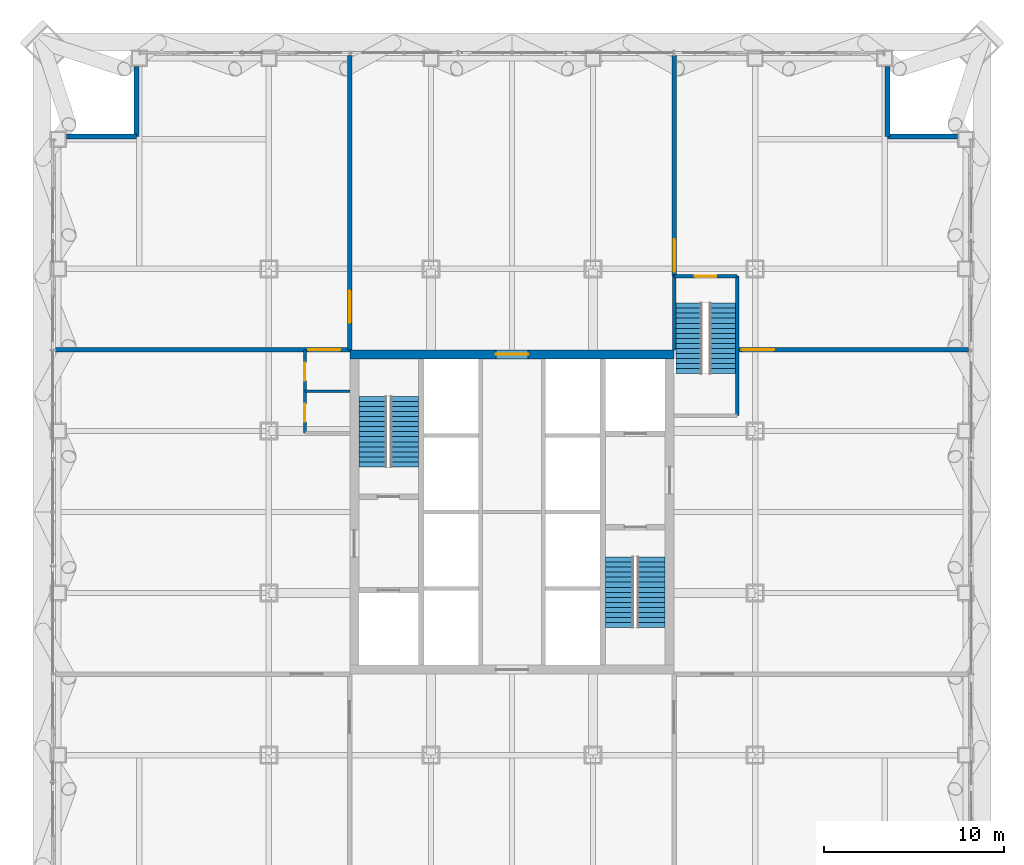
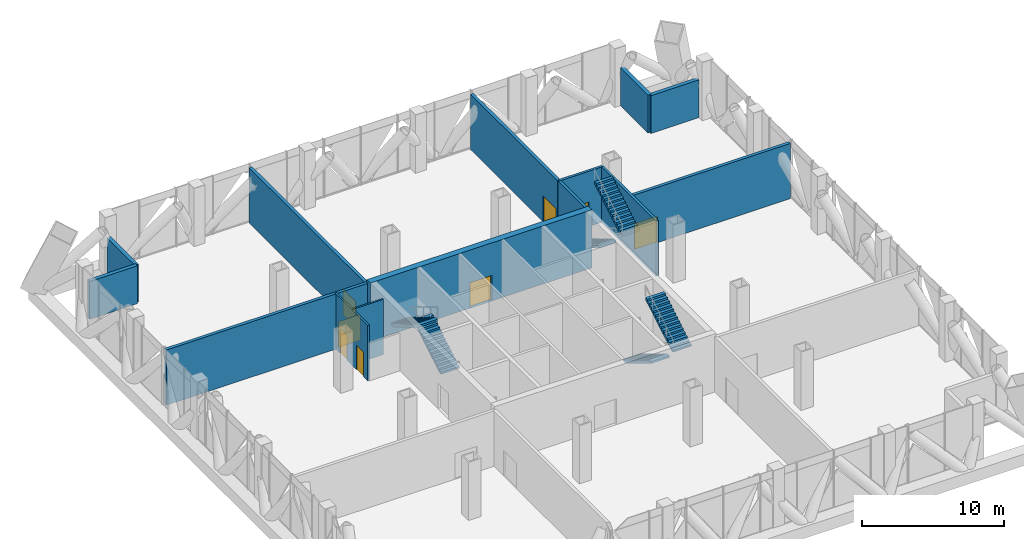
# One storey, part 15 of 26: 14 walls, 8 doors, 6 stair flights, 8 openings, 3 elements without a shape of their own.
"""IFC4 building model written with IfcOpenShell, lengths in metres."""

from ifc_helpers import new_model, si_unit, direction, frame, frame_2d, origin, place, context, subcontext, project, spatial, polyline, rectangle, outline, extrude, material, layer, layer_set, type_object, element, fill, aggregate, save


model = new_model("IFC4")

# Units and contexts
model_context = context("Model", 3, precision=1e-05, world=origin(), true_north=direction((0.0, 1.0)))
body_context = subcontext(model_context, "Body", "Model", "MODEL_VIEW")
ifc_project = project(units=[si_unit("LENGTHUNIT", "METRE"), si_unit("AREAUNIT", "SQUARE_METRE"), si_unit("VOLUMEUNIT", "CUBIC_METRE"), si_unit("PLANEANGLEUNIT", "RADIAN"), si_unit("MASSUNIT", "GRAM", prefix="KILO")], contexts=[model_context])

# Site, building, storey
site_placement = place(None, origin())
site = spatial("IfcSite", under=ifc_project, at=site_placement, CompositionType="ELEMENT")
building_placement = place(site_placement, origin())
building = spatial("IfcBuilding", under=site, at=building_placement, Name="Malebo Sky Hospital", CompositionType="ELEMENT")
storey_placement = place(building_placement, frame((0.0, 0.0, 95.0)))
storey = spatial("IfcBuildingStorey", under=building, at=storey_placement, Name="L22", CompositionType="ELEMENT", Elevation=95.0)

# Wall, opening, door
ifc_material_1 = material(Name="Concrete C80/95", Category="concrete")
ifc_layer_1 = layer(ifc_material_1, 0.5)
ifc_layer_set_1 = layer_set([ifc_layer_1], Name="CORE WALL 500")
wall_type_1 = type_object("IfcWallType", Name="CORE WALL 500", PredefinedType="SHEAR", material=ifc_layer_set_1)
wall_1_placement = place(storey_placement, frame((51.0, 70.75, 0.0), z_axis=(0.0, 0.0, 1.0), x_axis=(1.0, 0.0, 0.0)))
wall_1 = element("IfcWall", 1, at=wall_1_placement, inside=storey, type_object=wall_type_1, Name="Core wall N L22", PredefinedType="SHEAR", context=body_context, shape_type="SweptSolid", body=[
    extrude(rectangle(XDim=18.0, YDim=0.5, at=frame_2d((9.0, 0.0))), origin(), (0.0, 0.0, 1.0), 5.0),
])
opening_1_placement = place(wall_1_placement, frame((8.10009765625, 0.0, 0.0)))
opening_1 = element("IfcOpeningElement", 2, at=opening_1_placement, cuts=wall_1, Name="Opening D06", PredefinedType="OPENING", context=body_context, shape_type="SweptSolid", body=[
    extrude(rectangle(XDim=1.800048828125, YDim=2.199951171875, at=frame_2d((0.89990234375, 1.10009765625))), frame((0.0, 0.260009765625, 0.0), z_axis=(0.0, -1.0, 0.0), x_axis=(1.0, 0.0, 0.0)), (0.0, 0.0, 1.0), 0.52001953125),
])
ifc_material_2 = material(Name="Hardwood-faced door leaf in steel frame", Category="steel")
door_type_1 = type_object("IfcDoorType", Name="LOBBY DOOR PAIR 1800", OperationType="DOUBLE_DOOR_SINGLE_SWING", PredefinedType="DOOR", material=ifc_material_2)
door_1_placement = place(opening_1_placement, origin())
door_1 = element("IfcDoor", 3, at=door_1_placement, inside=storey, type_object=door_type_1, Name="Controls plant room door", OperationType="DOUBLE_DOOR_SINGLE_SWING", OverallHeight=2.199951171875, OverallWidth=1.800048828125, PredefinedType="DOOR", context=body_context, shape_type="SweptSolid", body=[
    extrude(rectangle(XDim=1.800048828125, YDim=2.199951171875, at=frame_2d((0.89990234375, 1.10009765625))), frame((0.0, 0.02490234375, 0.0), z_axis=(0.0, -1.0, 0.0), x_axis=(1.0, 0.0, 0.0)), (0.0, 0.0, 1.0), 0.050048828125),
])
fill(opening_1, door_1)

# Walls
ifc_material_3 = material(Name="Anodised aluminium rainscreen on steel framing", Category="steel")
ifc_layer_2 = layer(ifc_material_3, 0.300048828125)
ifc_layer_set_2 = layer_set([ifc_layer_2], Name="NOTCH RAINSCREEN WALL 300")
wall_type_2 = type_object("IfcWallType", Name="NOTCH RAINSCREEN WALL 300", PredefinedType="ELEMENTEDWALL", material=ifc_layer_set_2)
for number, where, z_axis, x_axis, name in (
    (4, (80.85009765625, 86.75, 0.0), (0.0, 0.0, 1.0), (0.0, -1.0, 0.0), "Notch rainscreen wall N1 L22"),
    (5, (80.85009765625, 82.85009765625, 0.0), (0.0, 0.0, 1.0), (1.0, 0.0, 0.0), "Notch rainscreen wall N2 L22"),
    (6, (35.25, 82.85009765625, 0.0), (0.0, 0.0, 1.0), (1.0, 0.0, 0.0), "Notch rainscreen wall W1 L22"),
    (7, (39.14990234375, 82.85009765625, 0.0), (0.0, 0.0, 1.0), (0.0, 1.0, 0.0), "Notch rainscreen wall W2 L22"),
):
    element("IfcWall", number, at=place(storey_placement, frame(where, z_axis=z_axis, x_axis=x_axis)), inside=storey, type_object=wall_type_2, Name=name, PredefinedType="ELEMENTEDWALL", context=body_context, shape_type="SweptSolid", body=[
        extrude(rectangle(XDim=3.89990234375, YDim=0.300048828125, at=frame_2d((1.949951171875, 0.0))), origin(), (0.0, 0.0, 1.0), 3.25),
    ])

# Wall, openings, doors
ifc_material_4 = material(Name="Gypsum board on steel studs", Category="steel")
ifc_layer_3 = layer(ifc_material_4, 0.14990234375)
ifc_layer_set_3 = layer_set([ifc_layer_3], Name="PARTITION 150")
wall_type_3 = type_object("IfcWallType", Name="PARTITION 150", PredefinedType="PARTITIONING", material=ifc_layer_set_3)
wall_2_placement = place(storey_placement, frame((48.5, 66.39990234375, 0.0), z_axis=(0.0, 0.0, 1.0), x_axis=(0.0, 1.0, 0.0)))
wall_2 = element("IfcWall", 8, at=wall_2_placement, inside=storey, type_object=wall_type_3, Name="Partition 150 WCF", PredefinedType="PARTITIONING", context=body_context, shape_type="SweptSolid", body=[
    extrude(rectangle(XDim=4.60009765625, YDim=0.14990234375, at=frame_2d((2.300048828125, 0.0))), origin(), (0.0, 0.0, 1.0), 4.75),
])
opening_2_placement = place(wall_2_placement, frame((0.60009765625, 0.0, 0.0)))
opening_2 = element("IfcOpeningElement", 9, at=opening_2_placement, cuts=wall_2, Name="Opening D03", PredefinedType="OPENING", context=body_context, shape_type="SweptSolid", body=[
    extrude(rectangle(XDim=1.0, YDim=2.10009765625, at=frame_2d((0.5, 1.050048828125))), frame((0.0, 0.0849609375, 0.0), z_axis=(0.0, -1.0, 0.0), x_axis=(1.0, 0.0, 0.0)), (0.0, 0.0, 1.0), 0.169921875),
])
opening_3_placement = place(wall_2_placement, frame((2.89990234375, 0.0, 0.0)))
opening_3 = element("IfcOpeningElement", 10, at=opening_3_placement, cuts=wall_2, Name="Opening D03", PredefinedType="OPENING", context=body_context, shape_type="SweptSolid", body=[
    extrude(rectangle(XDim=1.0, YDim=2.10009765625, at=frame_2d((0.5, 1.050048828125))), frame((0.0, 0.0849609375, 0.0), z_axis=(0.0, -1.0, 0.0), x_axis=(1.0, 0.0, 0.0)), (0.0, 0.0, 1.0), 0.169921875),
])
door_type_2 = type_object("IfcDoorType", Name="ROOM DOOR 1000", OperationType="SINGLE_SWING_LEFT", PredefinedType="DOOR", material=ifc_material_2)
door_2_placement = place(opening_2_placement, origin())
door_2 = element("IfcDoor", 11, at=door_2_placement, inside=storey, type_object=door_type_2, Name="Staff WC door", OperationType="SINGLE_SWING_LEFT", OverallHeight=2.10009765625, OverallWidth=1.0, PredefinedType="DOOR", context=body_context, shape_type="SweptSolid", body=[
    extrude(rectangle(XDim=1.0, YDim=2.10009765625, at=frame_2d((0.5, 1.050048828125))), frame((0.0, 0.02490234375, 0.0), z_axis=(0.0, -1.0, 0.0), x_axis=(1.0, 0.0, 0.0)), (0.0, 0.0, 1.0), 0.050048828125),
])
fill(opening_2, door_2)
door_3_placement = place(opening_3_placement, origin())
door_3 = element("IfcDoor", 12, at=door_3_placement, inside=storey, type_object=door_type_2, Name="Accessible WC door", OperationType="SINGLE_SWING_LEFT", OverallHeight=2.10009765625, OverallWidth=1.0, PredefinedType="DOOR", context=body_context, shape_type="SweptSolid", body=[
    extrude(rectangle(XDim=1.0, YDim=2.10009765625, at=frame_2d((0.5, 1.050048828125))), frame((0.0, 0.02490234375, 0.0), z_axis=(0.0, -1.0, 0.0), x_axis=(1.0, 0.0, 0.0)), (0.0, 0.0, 1.0), 0.050048828125),
])
fill(opening_3, door_3)

# Wall
wall_3_placement = place(storey_placement, frame((51.0, 68.699951171875, 0.0), z_axis=(0.0, 0.0, 1.0), x_axis=(-1.0, 0.0, 0.0)))
element("IfcWall", 13, at=wall_3_placement, inside=storey, type_object=wall_type_3, Name="Partition 150 WCM", PredefinedType="PARTITIONING", context=body_context, shape_type="SweptSolid", body=[
    extrude(rectangle(XDim=2.5, YDim=0.14990234375, at=frame_2d((1.25, 0.0))), origin(), (0.0, 0.0, 1.0), 4.75),
])

# Wall, opening, door
ifc_material_5 = material(Name="Concrete blockwork", Category="masonry")
ifc_layer_4 = layer(ifc_material_5, 0.25)
ifc_layer_set_4 = layer_set([ifc_layer_4], Name="PLANT ROOM WALL 250")
wall_type_4 = type_object("IfcWallType", Name="PLANT ROOM WALL 250", PredefinedType="SOLIDWALL", material=ifc_layer_set_4)
wall_4_placement = place(storey_placement, frame((69.0, 75.10009765625, 0.0), z_axis=(0.0, 0.0, 1.0), x_axis=(0.0, 1.0, 0.0)))
wall_4 = element("IfcWall", 14, at=wall_4_placement, inside=storey, type_object=wall_type_4, Name="Plant Room Wall 250 NP9", PredefinedType="SOLIDWALL", context=body_context, shape_type="SweptSolid", body=[
    extrude(rectangle(XDim=12.25, YDim=0.25, at=frame_2d((6.125, 0.0))), origin(), (0.0, 0.0, 1.0), 4.75),
])
opening_4_placement = place(wall_4_placement, frame((0.25, 0.0, 0.0)))
opening_4 = element("IfcOpeningElement", 15, at=opening_4_placement, cuts=wall_4, Name="Opening D09", PredefinedType="OPENING", context=body_context, shape_type="SweptSolid", body=[
    extrude(rectangle(XDim=1.800048828125, YDim=2.199951171875, at=frame_2d((0.89990234375, 1.10009765625))), frame((0.0, 0.135009765625, 0.0), z_axis=(0.0, -1.0, 0.0), x_axis=(1.0, 0.0, 0.0)), (0.0, 0.0, 1.0), 0.27001953125),
])
door_type_3 = type_object("IfcDoorType", Name="PLANT ROOM DOOR PAIR 1800", OperationType="DOUBLE_DOOR_SINGLE_SWING", PredefinedType="DOOR", material=ifc_material_2)
door_4_placement = place(opening_4_placement, origin())
door_4 = element("IfcDoor", 16, at=door_4_placement, inside=storey, type_object=door_type_3, Name="Medical gas plant room door", OperationType="DOUBLE_DOOR_SINGLE_SWING", OverallHeight=2.199951171875, OverallWidth=1.800048828125, PredefinedType="DOOR", context=body_context, shape_type="SweptSolid", body=[
    extrude(rectangle(XDim=1.800048828125, YDim=2.199951171875, at=frame_2d((0.89990234375, 1.10009765625))), frame((0.0, 0.02490234375, 0.0), z_axis=(0.0, -1.0, 0.0), x_axis=(1.0, 0.0, 0.0)), (0.0, 0.0, 1.0), 0.050048828125),
])
fill(opening_4, door_4)

wall_5_placement = place(storey_placement, frame((51.0, 71.0, 0.0), z_axis=(0.0, 0.0, 1.0), x_axis=(0.0, 1.0, 0.0)))
wall_5 = element("IfcWall", 17, at=wall_5_placement, inside=storey, type_object=wall_type_4, Name="Plant Room Wall 250 NP8", PredefinedType="SOLIDWALL", context=body_context, shape_type="SweptSolid", body=[
    extrude(rectangle(XDim=16.35009765625, YDim=0.25, at=frame_2d((8.175048828125, 0.0))), origin(), (0.0, 0.0, 1.0), 4.75),
])
opening_5_placement = place(wall_5_placement, frame((1.5, 0.0, 0.0)))
opening_5 = element("IfcOpeningElement", 18, at=opening_5_placement, cuts=wall_5, Name="Opening D09", PredefinedType="OPENING", context=body_context, shape_type="SweptSolid", body=[
    extrude(rectangle(XDim=1.800048828125, YDim=2.199951171875, at=frame_2d((0.89990234375, 1.10009765625))), frame((0.0, 0.135009765625, 0.0), z_axis=(0.0, -1.0, 0.0), x_axis=(1.0, 0.0, 0.0)), (0.0, 0.0, 1.0), 0.27001953125),
])
door_5_placement = place(opening_5_placement, origin())
door_5 = element("IfcDoor", 19, at=door_5_placement, inside=storey, type_object=door_type_3, Name="Air handling plant room door", OperationType="DOUBLE_DOOR_SINGLE_SWING", OverallHeight=2.199951171875, OverallWidth=1.800048828125, PredefinedType="DOOR", context=body_context, shape_type="SweptSolid", body=[
    extrude(rectangle(XDim=1.800048828125, YDim=2.199951171875, at=frame_2d((0.89990234375, 1.10009765625))), frame((0.0, 0.02490234375, 0.0), z_axis=(0.0, -1.0, 0.0), x_axis=(1.0, 0.0, 0.0)), (0.0, 0.0, 1.0), 0.050048828125),
])
fill(opening_5, door_5)

wall_6_placement = place(storey_placement, frame((51.0, 71.0, 0.0), z_axis=(0.0, 0.0, 1.0), x_axis=(-1.0, 0.0, 0.0)))
wall_6 = element("IfcWall", 20, at=wall_6_placement, inside=storey, type_object=wall_type_4, Name="Plant Room Wall 250 WP9", PredefinedType="SOLIDWALL", context=body_context, shape_type="SweptSolid", body=[
    extrude(rectangle(XDim=16.35009765625, YDim=0.25, at=frame_2d((8.175048828125, 0.0))), origin(), (0.0, 0.0, 1.0), 4.75),
])
opening_6_placement = place(wall_6_placement, frame((0.52490234375, 0.0, 0.0)))
opening_6 = element("IfcOpeningElement", 21, at=opening_6_placement, cuts=wall_6, Name="Opening D09", PredefinedType="OPENING", context=body_context, shape_type="SweptSolid", body=[
    extrude(rectangle(XDim=1.800048828125, YDim=2.199951171875, at=frame_2d((0.89990234375, 1.10009765625))), frame((0.0, 0.135009765625, 0.0), z_axis=(0.0, -1.0, 0.0), x_axis=(1.0, 0.0, 0.0)), (0.0, 0.0, 1.0), 0.27001953125),
])
door_6_placement = place(opening_6_placement, origin())
door_6 = element("IfcDoor", 22, at=door_6_placement, inside=storey, type_object=door_type_3, Name="Water tank room door", OperationType="DOUBLE_DOOR_SINGLE_SWING", OverallHeight=2.199951171875, OverallWidth=1.800048828125, PredefinedType="DOOR", context=body_context, shape_type="SweptSolid", body=[
    extrude(rectangle(XDim=1.800048828125, YDim=2.199951171875, at=frame_2d((0.89990234375, 1.10009765625))), frame((0.0, 0.02490234375, 0.0), z_axis=(0.0, -1.0, 0.0), x_axis=(1.0, 0.0, 0.0)), (0.0, 0.0, 1.0), 0.050048828125),
])
fill(opening_6, door_6)

wall_7_placement = place(storey_placement, frame((72.5, 71.0, 0.0), z_axis=(0.0, 0.0, 1.0), x_axis=(1.0, 0.0, 0.0)))
wall_7 = element("IfcWall", 23, at=wall_7_placement, inside=storey, type_object=wall_type_4, Name="Plant Room Wall 250 EP8", PredefinedType="SOLIDWALL", context=body_context, shape_type="SweptSolid", body=[
    extrude(rectangle(XDim=12.85009765625, YDim=0.25, at=frame_2d((6.425048828125, 0.0))), origin(), (0.0, 0.0, 1.0), 4.75),
])
opening_7_placement = place(wall_7_placement, frame((0.25, 0.0, 0.0)))
opening_7 = element("IfcOpeningElement", 24, at=opening_7_placement, cuts=wall_7, Name="Opening D09", PredefinedType="OPENING", context=body_context, shape_type="SweptSolid", body=[
    extrude(rectangle(XDim=1.800048828125, YDim=2.199951171875, at=frame_2d((0.89990234375, 1.10009765625))), frame((0.0, 0.135009765625, 0.0), z_axis=(0.0, -1.0, 0.0), x_axis=(1.0, 0.0, 0.0)), (0.0, 0.0, 1.0), 0.27001953125),
])
door_7_placement = place(opening_7_placement, origin())
door_7 = element("IfcDoor", 25, at=door_7_placement, inside=storey, type_object=door_type_3, Name="Refuge area east door", OperationType="DOUBLE_DOOR_SINGLE_SWING", OverallHeight=2.199951171875, OverallWidth=1.800048828125, PredefinedType="DOOR", context=body_context, shape_type="SweptSolid", body=[
    extrude(rectangle(XDim=1.800048828125, YDim=2.199951171875, at=frame_2d((0.89990234375, 1.10009765625))), frame((0.0, 0.02490234375, 0.0), z_axis=(0.0, -1.0, 0.0), x_axis=(1.0, 0.0, 0.0)), (0.0, 0.0, 1.0), 0.050048828125),
])
fill(opening_7, door_7)

# Walls
ifc_material_6 = material(Name="Concrete C40/50", Category="concrete")
ifc_layer_5 = layer(ifc_material_6, 0.199951171875)
ifc_layer_set_5 = layer_set([ifc_layer_5], Name="STAIR ENCLOSURE WALL 200")
wall_type_5 = type_object("IfcWallType", Name="STAIR ENCLOSURE WALL 200", PredefinedType="SOLIDWALL", material=ifc_layer_set_5)
wall_8_placement = place(storey_placement, frame((69.0, 71.0, 0.0), z_axis=(0.0, 0.0, 1.0), x_axis=(0.0, 1.0, 0.0)))
element("IfcWall", 26, at=wall_8_placement, inside=storey, type_object=wall_type_5, Name="Stair Enclosure Wall 200 ST3W", PredefinedType="SOLIDWALL", context=body_context, shape_type="SweptSolid", body=[
    extrude(rectangle(XDim=4.10009765625, YDim=0.199951171875, at=frame_2d((2.050048828125, 0.0))), origin(), (0.0, 0.0, 1.0), 4.75),
])
wall_9_placement = place(storey_placement, frame((72.5, 67.35009765625, 0.0), z_axis=(0.0, 0.0, 1.0), x_axis=(0.0, 1.0, 0.0)))
element("IfcWall", 27, at=wall_9_placement, inside=storey, type_object=wall_type_5, Name="Stair Enclosure Wall 200 ST3E", PredefinedType="SOLIDWALL", context=body_context, shape_type="SweptSolid", body=[
    extrude(rectangle(XDim=7.75, YDim=0.199951171875, at=frame_2d((3.875, 0.0))), origin(), (0.0, 0.0, 1.0), 4.75),
])

# Wall, opening, door
wall_10_placement = place(storey_placement, frame((69.0, 75.10009765625, 0.0), z_axis=(0.0, 0.0, 1.0), x_axis=(1.0, 0.0, 0.0)))
wall_10 = element("IfcWall", 28, at=wall_10_placement, inside=storey, type_object=wall_type_5, Name="Stair Enclosure Wall 200 ST3N", PredefinedType="SOLIDWALL", context=body_context, shape_type="SweptSolid", body=[
    extrude(rectangle(XDim=3.5, YDim=0.199951171875, at=frame_2d((1.75, 0.0))), origin(), (0.0, 0.0, 1.0), 4.75),
])
opening_8_placement = place(wall_10_placement, frame((1.14990234375, 0.0, 0.0)))
opening_8 = element("IfcOpeningElement", 29, at=opening_8_placement, cuts=wall_10, Name="Opening D08", PredefinedType="OPENING", context=body_context, shape_type="SweptSolid", body=[
    extrude(rectangle(XDim=1.199951171875, YDim=2.10009765625, at=frame_2d((0.60009765625, 1.050048828125))), frame((0.0, 0.10986328125, 0.0), z_axis=(0.0, -1.0, 0.0), x_axis=(1.0, 0.0, 0.0)), (0.0, 0.0, 1.0), 0.219970703125),
])
door_type_4 = type_object("IfcDoorType", Name="STAIR DOOR 1200", OperationType="SINGLE_SWING_LEFT", PredefinedType="DOOR", material=ifc_material_2)
door_8_placement = place(opening_8_placement, origin())
door_8 = element("IfcDoor", 30, at=door_8_placement, inside=storey, type_object=door_type_4, Name="Stair S3 door", OperationType="SINGLE_SWING_LEFT", OverallHeight=2.10009765625, OverallWidth=1.199951171875, PredefinedType="DOOR", context=body_context, shape_type="SweptSolid", body=[
    extrude(rectangle(XDim=1.199951171875, YDim=2.10009765625, at=frame_2d((0.60009765625, 1.050048828125))), frame((0.0, 0.02490234375, 0.0), z_axis=(0.0, -1.0, 0.0), x_axis=(1.0, 0.0, 0.0)), (0.0, 0.0, 1.0), 0.050048828125),
])
fill(opening_8, door_8)

# Stair, stair flights
stair_type_1 = type_object("IfcStairType", Name="HALF-TURN STAIR 1400 R167", PredefinedType="HALF_TURN_STAIR", material=ifc_material_6)
stair_1_placement = place(storey_placement, origin())
stair_1 = element("IfcStair", 31, at=stair_1_placement, inside=storey, type_object=stair_type_1, Name="Stair S3 L22 type ST1B", PredefinedType="HALF_TURN_STAIR")
stair_flight_type_1 = type_object("IfcStairFlightType", Name="STAIR FLIGHT 1400 R167", PredefinedType="STRAIGHT", material=ifc_material_6)
stair_flight_1_placement = place(storey_placement, frame((69.800048828125, 73.60009765625, 0.0), z_axis=(0.0, 0.0, 1.0), x_axis=(0.0, -1.0, 0.0)))
stair_flight_1 = element("IfcStairFlight", 32, at=stair_flight_1_placement, type_object=stair_flight_type_1, Name="S3 flight 1 type SF1B", NumberOfRisers=15, NumberOfTreads=14, PredefinedType="STRAIGHT", RiserHeight=0.166666667, TreadLength=0.28, context=body_context, shape_type="SweptSolid", body=[
    extrude(outline(polyline([(0.0, 0.0), (0.0, 0.166748046875), (0.280029296875, 0.166748046875), (0.280029296875, 0.333251953125), (0.56005859375, 0.333251953125), (0.56005859375, 0.5), (0.840087890625, 0.5), (0.840087890625, 0.666748046875), (1.1201171875, 0.666748046875), (1.1201171875, 0.833251953125), (1.39990234375, 0.833251953125), (1.39990234375, 1.0), (1.679931640625, 1.0), (1.679931640625, 1.166748046875), (1.9599609375, 1.166748046875), (1.9599609375, 1.333251953125), (2.239990234375, 1.333251953125), (2.239990234375, 1.5), (2.52001953125, 1.5), (2.52001953125, 1.666748046875), (2.800048828125, 1.666748046875), (2.800048828125, 1.833251953125), (3.080078125, 1.833251953125), (3.080078125, 2.0), (3.360107421875, 2.0), (3.360107421875, 2.166748046875), (3.639892578125, 2.166748046875), (3.639892578125, 2.333251953125), (3.919921875, 2.333251953125), (3.919921875, 2.5), (3.919921875, 2.158935546875), (0.29296875, 0.0), (0.0, 0.0)])), frame((0.0, 0.699951171875, 0.0), z_axis=(0.0, -1.0, 0.0), x_axis=(1.0, 0.0, 0.0)), (0.0, 0.0, 1.0), 1.39990234375),
])
stair_flight_2_placement = place(storey_placement, frame((71.699951171875, 69.679931640625, 2.5), z_axis=(0.0, 0.0, 1.0), x_axis=(0.0, 1.0, 0.0)))
stair_flight_2 = element("IfcStairFlight", 33, at=stair_flight_2_placement, type_object=stair_flight_type_1, Name="S3 flight 2 type SF1B", NumberOfRisers=15, NumberOfTreads=14, PredefinedType="STRAIGHT", RiserHeight=0.166666667, TreadLength=0.28, context=body_context, shape_type="SweptSolid", body=[
    extrude(outline(polyline([(0.0, 0.0), (0.0, 0.166748046875), (0.280029296875, 0.166748046875), (0.280029296875, 0.333251953125), (0.56005859375, 0.333251953125), (0.56005859375, 0.5), (0.840087890625, 0.5), (0.840087890625, 0.666748046875), (1.1201171875, 0.666748046875), (1.1201171875, 0.833251953125), (1.39990234375, 0.833251953125), (1.39990234375, 1.0), (1.679931640625, 1.0), (1.679931640625, 1.166748046875), (1.9599609375, 1.166748046875), (1.9599609375, 1.333251953125), (2.239990234375, 1.333251953125), (2.239990234375, 1.5), (2.52001953125, 1.5), (2.52001953125, 1.666748046875), (2.800048828125, 1.666748046875), (2.800048828125, 1.833251953125), (3.080078125, 1.833251953125), (3.080078125, 2.0), (3.360107421875, 2.0), (3.360107421875, 2.166748046875), (3.639892578125, 2.166748046875), (3.639892578125, 2.333251953125), (3.919921875, 2.333251953125), (3.919921875, 2.5), (3.919921875, 2.158935546875), (0.29296875, 0.0), (0.0, 0.0)])), frame((0.0, 0.699951171875, 0.0), z_axis=(0.0, -1.0, 0.0), x_axis=(1.0, 0.0, 0.0)), (0.0, 0.0, 1.0), 1.39990234375),
])
aggregate(stair_1, [stair_flight_1, stair_flight_2])

stair_type_2 = type_object("IfcStairType", Name="HALF-TURN STAIR 1500 R167", PredefinedType="HALF_TURN_STAIR", material=ifc_material_6)
stair_2_placement = place(storey_placement, origin())
stair_2 = element("IfcStair", 34, at=stair_2_placement, inside=storey, type_object=stair_type_2, Name="Stair S1 L22 type ST1", PredefinedType="HALF_TURN_STAIR")
stair_flight_type_2 = type_object("IfcStairFlightType", Name="STAIR FLIGHT 1500 R167", PredefinedType="STRAIGHT", material=ifc_material_6)
stair_flight_3_placement = place(storey_placement, frame((54.050048828125, 64.5, 0.0), z_axis=(0.0, 0.0, 1.0), x_axis=(0.0, 1.0, 0.0)))
stair_flight_3 = element("IfcStairFlight", 35, at=stair_flight_3_placement, type_object=stair_flight_type_2, Name="S1 flight 1 type SF1", NumberOfRisers=15, NumberOfTreads=14, PredefinedType="STRAIGHT", RiserHeight=0.166666667, TreadLength=0.28, context=body_context, shape_type="SweptSolid", body=[
    extrude(outline(polyline([(0.0, 0.0), (0.0, 0.166748046875), (0.280029296875, 0.166748046875), (0.280029296875, 0.333251953125), (0.56005859375, 0.333251953125), (0.56005859375, 0.5), (0.840087890625, 0.5), (0.840087890625, 0.666748046875), (1.1201171875, 0.666748046875), (1.1201171875, 0.833251953125), (1.39990234375, 0.833251953125), (1.39990234375, 1.0), (1.679931640625, 1.0), (1.679931640625, 1.166748046875), (1.9599609375, 1.166748046875), (1.9599609375, 1.333251953125), (2.239990234375, 1.333251953125), (2.239990234375, 1.5), (2.52001953125, 1.5), (2.52001953125, 1.666748046875), (2.800048828125, 1.666748046875), (2.800048828125, 1.833251953125), (3.080078125, 1.833251953125), (3.080078125, 2.0), (3.360107421875, 2.0), (3.360107421875, 2.166748046875), (3.639892578125, 2.166748046875), (3.639892578125, 2.333251953125), (3.919921875, 2.333251953125), (3.919921875, 2.5), (3.919921875, 2.158935546875), (0.29296875, 0.0), (0.0, 0.0)])), frame((0.0, 0.75, 0.0), z_axis=(0.0, -1.0, 0.0), x_axis=(1.0, 0.0, 0.0)), (0.0, 0.0, 1.0), 1.5),
])
stair_flight_4_placement = place(storey_placement, frame((52.25, 68.419921875, 2.5), z_axis=(0.0, 0.0, 1.0), x_axis=(0.0, -1.0, 0.0)))
stair_flight_4 = element("IfcStairFlight", 36, at=stair_flight_4_placement, type_object=stair_flight_type_2, Name="S1 flight 2 type SF1", NumberOfRisers=15, NumberOfTreads=14, PredefinedType="STRAIGHT", RiserHeight=0.166666667, TreadLength=0.28, context=body_context, shape_type="SweptSolid", body=[
    extrude(outline(polyline([(0.0, 0.0), (0.0, 0.166748046875), (0.280029296875, 0.166748046875), (0.280029296875, 0.333251953125), (0.56005859375, 0.333251953125), (0.56005859375, 0.5), (0.840087890625, 0.5), (0.840087890625, 0.666748046875), (1.1201171875, 0.666748046875), (1.1201171875, 0.833251953125), (1.39990234375, 0.833251953125), (1.39990234375, 1.0), (1.679931640625, 1.0), (1.679931640625, 1.166748046875), (1.9599609375, 1.166748046875), (1.9599609375, 1.333251953125), (2.239990234375, 1.333251953125), (2.239990234375, 1.5), (2.52001953125, 1.5), (2.52001953125, 1.666748046875), (2.800048828125, 1.666748046875), (2.800048828125, 1.833251953125), (3.080078125, 1.833251953125), (3.080078125, 2.0), (3.360107421875, 2.0), (3.360107421875, 2.166748046875), (3.639892578125, 2.166748046875), (3.639892578125, 2.333251953125), (3.919921875, 2.333251953125), (3.919921875, 2.5), (3.919921875, 2.158935546875), (0.29296875, 0.0), (0.0, 0.0)])), frame((0.0, 0.75, 0.0), z_axis=(0.0, -1.0, 0.0), x_axis=(1.0, 0.0, 0.0)), (0.0, 0.0, 1.0), 1.5),
])
aggregate(stair_2, [stair_flight_3, stair_flight_4])

stair_3_placement = place(storey_placement, origin())
stair_3 = element("IfcStair", 37, at=stair_3_placement, inside=storey, type_object=stair_type_2, Name="Stair S2 L22 type ST1", PredefinedType="HALF_TURN_STAIR")
stair_flight_5_placement = place(storey_placement, frame((65.949951171875, 59.5, 0.0), z_axis=(0.0, 0.0, 1.0), x_axis=(0.0, -1.0, 0.0)))
stair_flight_5 = element("IfcStairFlight", 38, at=stair_flight_5_placement, type_object=stair_flight_type_2, Name="S2 flight 1 type SF1", NumberOfRisers=15, NumberOfTreads=14, PredefinedType="STRAIGHT", RiserHeight=0.166666667, TreadLength=0.28, context=body_context, shape_type="SweptSolid", body=[
    extrude(outline(polyline([(0.0, 0.0), (0.0, 0.166748046875), (0.280029296875, 0.166748046875), (0.280029296875, 0.333251953125), (0.56005859375, 0.333251953125), (0.56005859375, 0.5), (0.840087890625, 0.5), (0.840087890625, 0.666748046875), (1.1201171875, 0.666748046875), (1.1201171875, 0.833251953125), (1.39990234375, 0.833251953125), (1.39990234375, 1.0), (1.679931640625, 1.0), (1.679931640625, 1.166748046875), (1.9599609375, 1.166748046875), (1.9599609375, 1.333251953125), (2.239990234375, 1.333251953125), (2.239990234375, 1.5), (2.52001953125, 1.5), (2.52001953125, 1.666748046875), (2.800048828125, 1.666748046875), (2.800048828125, 1.833251953125), (3.080078125, 1.833251953125), (3.080078125, 2.0), (3.360107421875, 2.0), (3.360107421875, 2.166748046875), (3.639892578125, 2.166748046875), (3.639892578125, 2.333251953125), (3.919921875, 2.333251953125), (3.919921875, 2.5), (3.919921875, 2.158935546875), (0.29296875, 0.0), (0.0, 0.0)])), frame((0.0, 0.75, 0.0), z_axis=(0.0, -1.0, 0.0), x_axis=(1.0, 0.0, 0.0)), (0.0, 0.0, 1.0), 1.5),
])
stair_flight_6_placement = place(storey_placement, frame((67.75, 55.580078125, 2.5), z_axis=(0.0, 0.0, 1.0), x_axis=(0.0, 1.0, 0.0)))
stair_flight_6 = element("IfcStairFlight", 39, at=stair_flight_6_placement, type_object=stair_flight_type_2, Name="S2 flight 2 type SF1", NumberOfRisers=15, NumberOfTreads=14, PredefinedType="STRAIGHT", RiserHeight=0.166666667, TreadLength=0.28, context=body_context, shape_type="SweptSolid", body=[
    extrude(outline(polyline([(0.0, 0.0), (0.0, 0.166748046875), (0.280029296875, 0.166748046875), (0.280029296875, 0.333251953125), (0.56005859375, 0.333251953125), (0.56005859375, 0.5), (0.840087890625, 0.5), (0.840087890625, 0.666748046875), (1.1201171875, 0.666748046875), (1.1201171875, 0.833251953125), (1.39990234375, 0.833251953125), (1.39990234375, 1.0), (1.679931640625, 1.0), (1.679931640625, 1.166748046875), (1.9599609375, 1.166748046875), (1.9599609375, 1.333251953125), (2.239990234375, 1.333251953125), (2.239990234375, 1.5), (2.52001953125, 1.5), (2.52001953125, 1.666748046875), (2.800048828125, 1.666748046875), (2.800048828125, 1.833251953125), (3.080078125, 1.833251953125), (3.080078125, 2.0), (3.360107421875, 2.0), (3.360107421875, 2.166748046875), (3.639892578125, 2.166748046875), (3.639892578125, 2.333251953125), (3.919921875, 2.333251953125), (3.919921875, 2.5), (3.919921875, 2.158935546875), (0.29296875, 0.0), (0.0, 0.0)])), frame((0.0, 0.75, 0.0), z_axis=(0.0, -1.0, 0.0), x_axis=(1.0, 0.0, 0.0)), (0.0, 0.0, 1.0), 1.5),
])
aggregate(stair_3, [stair_flight_5, stair_flight_6])

save(model, "model.ifc")
